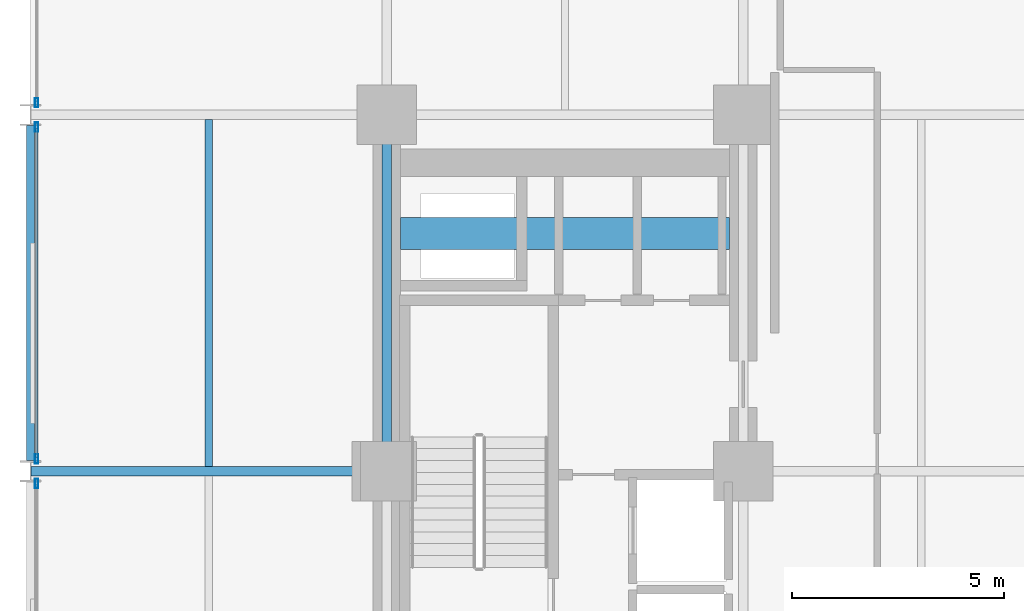
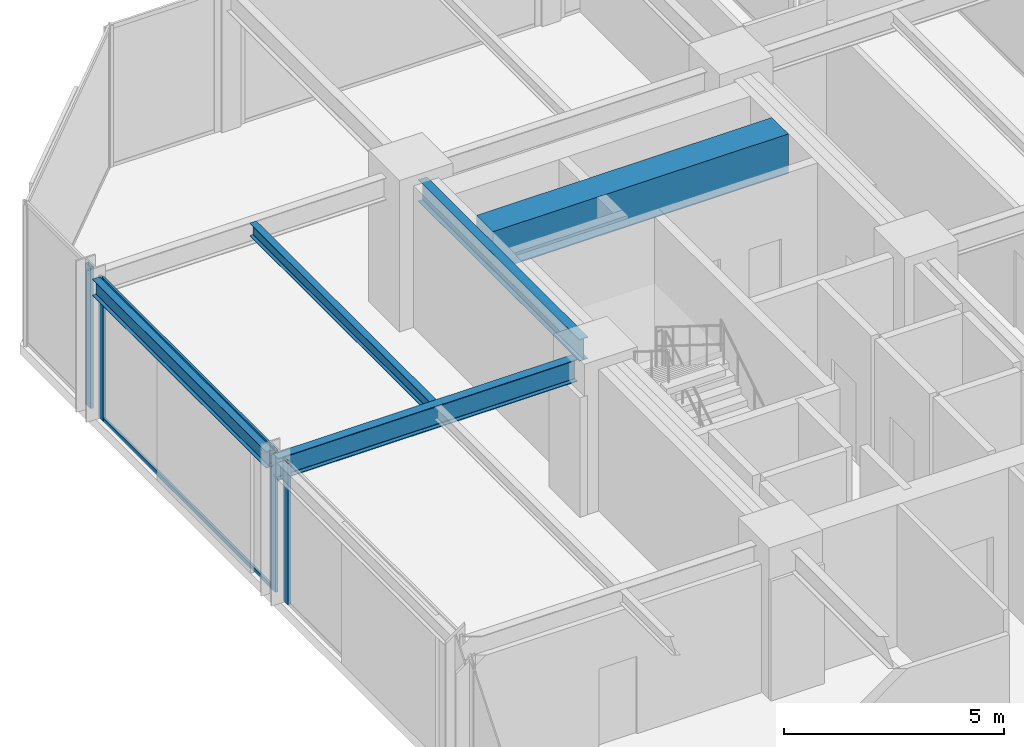
# One storey, part 14 of 24: 6 members, 5 beams, 3 elements without a shape of their own.
"""IFC4 building model written with IfcOpenShell, lengths in metres."""

from ifc_helpers import new_model, si_unit, direction, frame, origin, origin_2d, place, context, subcontext, project, spatial, rectangle, hollow_rectangle, i_section, extrude, material, layer, layer_set, material_profile, profile_set, type_object, element, aggregate, save


model = new_model("IFC4")

# Units and contexts
model_context = context("Model", 3, precision=1e-05, world=origin(), true_north=direction((0.0, 1.0)))
body_context = subcontext(model_context, "Body", "Model", "MODEL_VIEW")
ifc_project = project(units=[si_unit("LENGTHUNIT", "METRE"), si_unit("AREAUNIT", "SQUARE_METRE"), si_unit("VOLUMEUNIT", "CUBIC_METRE"), si_unit("PLANEANGLEUNIT", "RADIAN"), si_unit("MASSUNIT", "GRAM", prefix="KILO")], contexts=[model_context])

# Site, building, storey
site_placement = place(None, origin())
site = spatial("IfcSite", under=ifc_project, at=site_placement, CompositionType="ELEMENT")
building_placement = place(site_placement, origin())
building = spatial("IfcBuilding", under=site, at=building_placement, Name="Nerrivon Quay Data Exchange", CompositionType="ELEMENT")
storey_placement = place(building_placement, frame((0.0, 0.0, 37.39990234375)))
storey = spatial("IfcBuildingStorey", under=building, at=storey_placement, Name="L08", CompositionType="ELEMENT", Elevation=37.39990234375)

# Beams
ifc_material_1 = material(Name="Concrete S65 (65 MPa)", Category="concrete")
ifc_material_profile_1 = material_profile(ifc_material_1, rectangle(XDim=0.75, YDim=1.10009765625, at=origin_2d()), Name="RC-CB-750x1100")
ifc_profile_set_1 = profile_set([ifc_material_profile_1], Name="Concrete S65 (65 MPa)")
beam_type_1 = type_object("IfcBeamType", Name="BM-CB1-750x1100", PredefinedType="LINTEL", material=ifc_profile_set_1)
beam_1_placement = place(storey_placement, frame((8.72509765625, 39.199951171875, 3.375), z_axis=(1.0, 0.0, 0.0), x_axis=(0.0, 1.0, 0.0)))
element("IfcBeam", 1, at=beam_1_placement, inside=storey, type_object=beam_type_1, Name="L08 West Core Coupling Beam", PredefinedType="LINTEL", context=body_context, shape_type="SweptSolid", body=[
    extrude(rectangle(XDim=0.75, YDim=1.10009765625, at=origin_2d()), origin(), (0.0, 0.0, 1.0), 7.75),
])
ifc_material_2 = material(Name="Steel Grade 350", Category="steel")
ifc_material_profile_2 = material_profile(ifc_material_2, i_section(OverallWidth=0.22900390625, OverallDepth=0.612060546875, WebThickness=0.011962890625, FlangeThickness=0.01953125, FilletRadius=0.013916015625, at=origin_2d()), Name="610UB125")
ifc_profile_set_2 = profile_set([ifc_material_profile_2], Name="Steel Grade 350")
beam_type_2 = type_object("IfcBeamType", Name="BM-G1-610UB125", PredefinedType="BEAM", material=ifc_profile_set_2)
beam_2_placement = place(storey_placement, frame((0.013916015625, 33.60009765625, 3.619140625), z_axis=(1.0, 0.0, 0.0), x_axis=(0.0, 1.0, 0.0)))
element("IfcBeam", 2, at=beam_2_placement, inside=storey, type_object=beam_type_2, Name="L08 EW Girder Y=33.6 (0.0..8.4)", PredefinedType="BEAM", context=body_context, shape_type="SweptSolid", body=[
    extrude(i_section(OverallWidth=0.22900390625, OverallDepth=0.612060546875, WebThickness=0.011962890625, FlangeThickness=0.01953125, FilletRadius=0.013916015625, at=origin_2d()), origin(), (0.0, 0.0, 1.0), 7.84619140625),
])
ifc_material_profile_3 = material_profile(ifc_material_2, i_section(OverallWidth=0.22802734375, OverallDepth=0.60205078125, WebThickness=0.010498046875, FlangeThickness=0.014892578125, FilletRadius=0.013916015625, at=origin_2d()), Name="610UB101")
ifc_profile_set_3 = profile_set([ifc_material_profile_3], Name="Steel Grade 350")
beam_type_3 = type_object("IfcBeamType", Name="BM-G2-610UB101", PredefinedType="BEAM", material=ifc_profile_set_3)
beam_3_placement = place(storey_placement, frame((8.39990234375, 34.139892578125, 3.6240234375), z_axis=(0.0, 1.0, 0.0), x_axis=(-1.0, 0.0, 0.0)))
element("IfcBeam", 3, at=beam_3_placement, inside=storey, type_object=beam_type_3, Name="L08 NS Girder X=8.4 (33.6..42.0)", PredefinedType="BEAM", context=body_context, shape_type="SweptSolid", body=[
    extrude(i_section(OverallWidth=0.22802734375, OverallDepth=0.60205078125, WebThickness=0.010498046875, FlangeThickness=0.014892578125, FilletRadius=0.013916015625, at=origin_2d()), origin(), (0.0, 0.0, 1.0), 7.320068359375),
])
ifc_material_profile_4 = material_profile(ifc_material_2, i_section(OverallWidth=0.172119140625, OverallDepth=0.35888671875, WebThickness=0.008056640625, FlangeThickness=0.012939453125, FilletRadius=0.011474609375, at=origin_2d()), Name="360UB56.7")
ifc_profile_set_4 = profile_set([ifc_material_profile_4], Name="Steel Grade 350")
beam_type_4 = type_object("IfcBeamType", Name="BM-J3-360UB57", PredefinedType="JOIST", material=ifc_profile_set_4)
beam_4_placement = place(storey_placement, frame((4.199951171875, 33.714599609375, 3.74560546875), z_axis=(0.0, 1.0, 0.0), x_axis=(-1.0, 0.0, 0.0)))
element("IfcBeam", 4, at=beam_4_placement, inside=storey, type_object=beam_type_4, Name="L08 Secondary Joist X=4.2 (33.6..42.0)", PredefinedType="JOIST", context=body_context, shape_type="SweptSolid", body=[
    extrude(i_section(OverallWidth=0.172119140625, OverallDepth=0.35888671875, WebThickness=0.008056640625, FlangeThickness=0.012939453125, FilletRadius=0.011474609375, at=origin_2d()), origin(), (0.0, 0.0, 1.0), 8.1708984375),
])
ifc_material_profile_5 = material_profile(ifc_material_2, i_section(OverallWidth=0.18994140625, OverallDepth=0.4541015625, WebThickness=0.008544921875, FlangeThickness=0.0126953125, FilletRadius=0.011474609375, at=origin_2d()), Name="460UB67.1")
ifc_profile_set_5 = profile_set([ifc_material_profile_5], Name="Steel Grade 350")
beam_type_5 = type_object("IfcBeamType", Name="BM-SP1-460UB67", PredefinedType="SPANDREL", material=ifc_profile_set_5)
beam_5_placement = place(storey_placement, frame((0.0, 33.85009765625, 3.697998046875), z_axis=(0.0, 1.0, 0.0), x_axis=(-1.0, 0.0, 0.0)))
element("IfcBeam", 5, at=beam_5_placement, inside=storey, type_object=beam_type_5, Name="L08 NS Girder X=0.0 (33.6..42.0)", PredefinedType="SPANDREL", context=body_context, shape_type="SweptSolid", body=[
    extrude(i_section(OverallWidth=0.18994140625, OverallDepth=0.4541015625, WebThickness=0.008544921875, FlangeThickness=0.0126953125, FilletRadius=0.011474609375, at=origin_2d()), origin(), (0.0, 0.0, 1.0), 7.89990234375),
])

# Curtain wall, member
ifc_material_3 = material(Name="Anodised aluminium 6063-T6", Category="aluminium")
ifc_layer = layer(ifc_material_3, 0.219970703125)
ifc_layer_set = layer_set([ifc_layer], Name="Anodised aluminium 6063-T6")
curtain_wall_type = type_object("IfcCurtainWallType", Name="CW-SYS-01", PredefinedType="NOTDEFINED", material=ifc_layer_set)
curtain_wall_1_placement = place(storey_placement, origin())
curtain_wall_1 = element("IfcCurtainWall", 6, at=curtain_wall_1_placement, inside=storey, type_object=curtain_wall_type, Name="L08 Unitised Curtain Wall 16", PredefinedType="NOTDEFINED")
ifc_material_profile_6 = material_profile(ifc_material_3, hollow_rectangle(XDim=0.074951171875, YDim=0.219970703125, WallThickness=0.00390625, at=origin_2d()), Name="ALU-MULL-220x75")
ifc_profile_set_6 = profile_set([ifc_material_profile_6], Name="Anodised aluminium 6063-T6")
member_type_1 = type_object("IfcMemberType", Name="CWM-220x75", PredefinedType="MULLION", material=ifc_profile_set_6)
member_1_placement = place(storey_placement, frame((0.139892578125, 33.3125, 0.0), z_axis=(0.0, 0.0, 1.0), x_axis=(-1.0, 0.0, 0.0)))
member_1 = element("IfcMember", 7, at=member_1_placement, type_object=member_type_1, Name="CW01 mullion 2", PredefinedType="MULLION", context=body_context, shape_type="SweptSolid", body=[
    extrude(hollow_rectangle(XDim=0.074951171875, YDim=0.219970703125, WallThickness=0.00390625, at=origin_2d()), origin(), (0.0, 0.0, 1.0), 3.925048828125),
])
aggregate(curtain_wall_1, [member_1])

# Curtain wall, members
curtain_wall_2_placement = place(storey_placement, origin())
curtain_wall_2 = element("IfcCurtainWall", 8, at=curtain_wall_2_placement, inside=storey, type_object=curtain_wall_type, Name="L08 Unitised Curtain Wall 17", PredefinedType="NOTDEFINED")
member_2_placement = place(storey_placement, frame((0.139892578125, 33.887451171875, 0.0), z_axis=(0.0, 0.0, 1.0), x_axis=(-1.0, 0.0, 0.0)))
member_2 = element("IfcMember", 9, at=member_2_placement, type_object=member_type_1, Name="CW01 mullion 1", PredefinedType="MULLION", context=body_context, shape_type="SweptSolid", body=[
    extrude(hollow_rectangle(XDim=0.074951171875, YDim=0.219970703125, WallThickness=0.00390625, at=origin_2d()), origin(), (0.0, 0.0, 1.0), 3.925048828125),
])
member_3_placement = place(storey_placement, frame((0.139892578125, 41.71240234375, 0.0), z_axis=(0.0, 0.0, 1.0), x_axis=(-1.0, 0.0, 0.0)))
member_3 = element("IfcMember", 10, at=member_3_placement, type_object=member_type_1, Name="CW01 mullion 2", PredefinedType="MULLION", context=body_context, shape_type="SweptSolid", body=[
    extrude(hollow_rectangle(XDim=0.074951171875, YDim=0.219970703125, WallThickness=0.00390625, at=origin_2d()), origin(), (0.0, 0.0, 1.0), 3.925048828125),
])

# Curtain wall, member
curtain_wall_3_placement = place(storey_placement, origin())
curtain_wall_3 = element("IfcCurtainWall", 11, at=curtain_wall_3_placement, inside=storey, type_object=curtain_wall_type, Name="L08 Unitised Curtain Wall 18", PredefinedType="NOTDEFINED")
member_4_placement = place(storey_placement, frame((0.139892578125, 42.28759765625, 0.0), z_axis=(0.0, 0.0, 1.0), x_axis=(-1.0, 0.0, 0.0)))
member_4 = element("IfcMember", 12, at=member_4_placement, type_object=member_type_1, Name="CW01 mullion 1", PredefinedType="MULLION", context=body_context, shape_type="SweptSolid", body=[
    extrude(hollow_rectangle(XDim=0.074951171875, YDim=0.219970703125, WallThickness=0.00390625, at=origin_2d()), origin(), (0.0, 0.0, 1.0), 3.925048828125),
])
aggregate(curtain_wall_3, [member_4])

# Member
ifc_material_profile_7 = material_profile(ifc_material_3, hollow_rectangle(XDim=0.06005859375, YDim=0.1201171875, WallThickness=0.003173828125, at=origin_2d()), Name="ALU-TRAN-120x60")
ifc_profile_set_7 = profile_set([ifc_material_profile_7], Name="Anodised aluminium 6063-T6")
member_type_2 = type_object("IfcMemberType", Name="CWT-120x60", PredefinedType="USERDEFINED", material=ifc_profile_set_7)
member_5_placement = place(storey_placement, frame((0.139892578125, 33.925048828125, 0.03271484375), z_axis=(0.0, 1.0, 0.0), x_axis=(-1.0, 0.0, 0.0)))
member_5 = element("IfcMember", 13, at=member_5_placement, type_object=member_type_2, Name="CW01 transom 1.1", ObjectType="TRANSOM", PredefinedType="USERDEFINED", context=body_context, shape_type="SweptSolid", body=[
    extrude(hollow_rectangle(XDim=0.06005859375, YDim=0.1201171875, WallThickness=0.003173828125, at=origin_2d()), origin(), (0.0, 0.0, 1.0), 7.75),
])

member_6_placement = place(storey_placement, frame((0.139892578125, 33.925048828125, 3.892578125), z_axis=(0.0, 1.0, 0.0), x_axis=(-1.0, 0.0, 0.0)))
member_6 = element("IfcMember", 14, at=member_6_placement, type_object=member_type_2, Name="CW01 transom 1.2", ObjectType="TRANSOM", PredefinedType="USERDEFINED", context=body_context, shape_type="SweptSolid", body=[
    extrude(hollow_rectangle(XDim=0.06005859375, YDim=0.1201171875, WallThickness=0.003173828125, at=origin_2d()), origin(), (0.0, 0.0, 1.0), 7.75),
])

aggregate(curtain_wall_2, [member_2, member_3, member_5, member_6])

save(model, "model.ifc")
